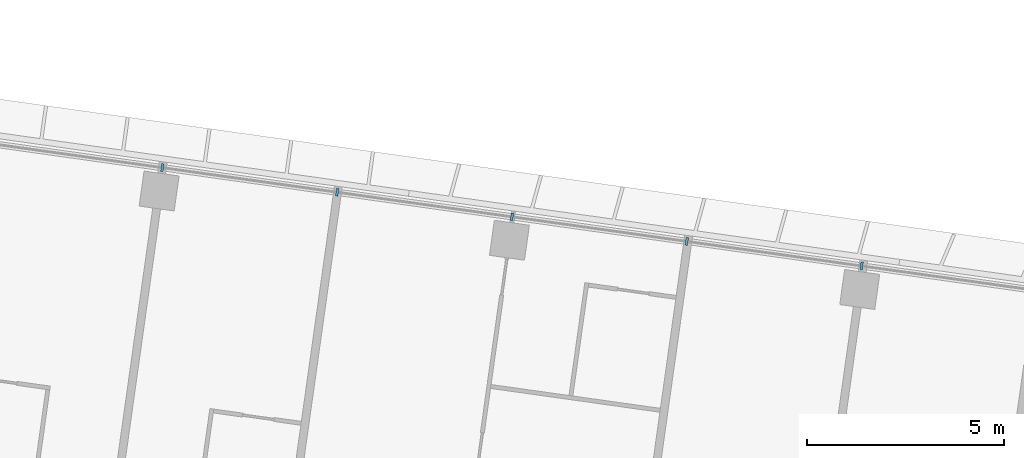
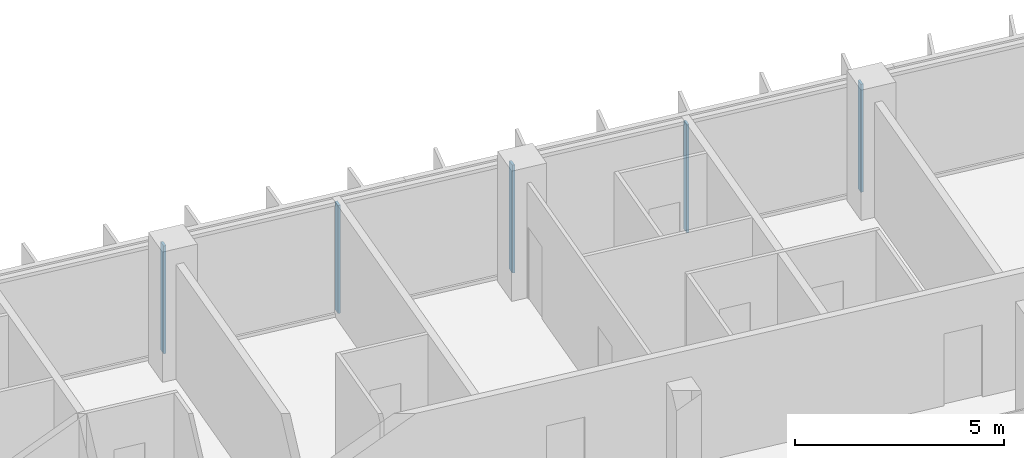
# One storey, part 5 of 26: 5 members, 1 element without a shape of its own.
"""IFC4 building model written with IfcOpenShell, lengths in metres."""

from ifc_helpers import new_model, si_unit, direction, frame, origin, origin_2d, place, context, subcontext, project, spatial, rectangle, extrude, material, material_profile, profile_set, type_object, element, aggregate, save


model = new_model("IFC4")

# Units and contexts
model_context = context("Model", 3, precision=1e-05, world=origin(), true_north=direction((0.0, 1.0)))
body_context = subcontext(model_context, "Body", "Model", "MODEL_VIEW")
ifc_project = project(units=[si_unit("LENGTHUNIT", "METRE"), si_unit("AREAUNIT", "SQUARE_METRE"), si_unit("VOLUMEUNIT", "CUBIC_METRE"), si_unit("PLANEANGLEUNIT", "RADIAN"), si_unit("MASSUNIT", "GRAM", prefix="KILO")], contexts=[model_context])

# Site, building, storey
site_placement = place(None, origin())
site = spatial("IfcSite", under=ifc_project, at=site_placement, CompositionType="ELEMENT")
building_placement = place(site_placement, origin())
building = spatial("IfcBuilding", under=site, at=building_placement, Name="Mirante Cascada Hotel Towers", CompositionType="ELEMENT")
storey_placement = place(building_placement, frame((0.0, 0.0, 144.3)))
storey = spatial("IfcBuildingStorey", under=building, at=storey_placement, Name="L33", CompositionType="ELEMENT", Elevation=144.3)

# Curtain wall, members
ifc_material_1 = material(Name="Aluminium mullion and transom frame with clear laminated glass", Category="aluminium")
curtain_wall_type = type_object("IfcCurtainWallType", Name="Ribbon curtain wall ECW1", PredefinedType="NOTDEFINED", material=ifc_material_1)
curtain_wall_placement = place(storey_placement, origin())
curtain_wall = element("IfcCurtainWall", 1, at=curtain_wall_placement, inside=storey, type_object=curtain_wall_type, Name="Front ribbon wall T1 L33", PredefinedType="NOTDEFINED")
ifc_material_2 = material(Name="Anodised aluminium extrusion", Category="aluminium")
ifc_material_profile = material_profile(ifc_material_2, rectangle(XDim=0.2, YDim=0.065, at=origin_2d()), Name="ECW1 MULLION 65x200")
ifc_profile_set = profile_set([ifc_material_profile], Name="Anodised aluminium extrusion")
member_type = type_object("IfcMemberType", Name="ECW1 mullion 65x200", PredefinedType="MULLION", material=ifc_profile_set)
member_1_placement = place(storey_placement, frame((-63.0262, 21.6768, 0.1), z_axis=(0.0, 0.0, 1.0), x_axis=(0.1391731, 0.9902681, 0.0)))
member_1 = element("IfcMember", 2, at=member_1_placement, type_object=member_type, Name="ECW1 mullion 8", PredefinedType="MULLION", context=body_context, shape_type="SweptSolid", body=[
    extrude(rectangle(XDim=0.2, YDim=0.065, at=origin_2d()), origin(), (0.0, 0.0, 1.0), 3.15),
])
member_2_placement = place(storey_placement, frame((-58.5788, 21.0517, 0.1), z_axis=(0.0, 0.0, 1.0), x_axis=(0.1391731, 0.9902681, 0.0)))
member_2 = element("IfcMember", 3, at=member_2_placement, type_object=member_type, Name="ECW1 mullion 9", PredefinedType="MULLION", context=body_context, shape_type="SweptSolid", body=[
    extrude(rectangle(XDim=0.2, YDim=0.065, at=origin_2d()), origin(), (0.0, 0.0, 1.0), 3.15),
])
member_3_placement = place(storey_placement, frame((-54.1314, 20.4267, 0.1), z_axis=(0.0, 0.0, 1.0), x_axis=(0.1391731, 0.9902681, 0.0)))
member_3 = element("IfcMember", 4, at=member_3_placement, type_object=member_type, Name="ECW1 mullion 10", PredefinedType="MULLION", context=body_context, shape_type="SweptSolid", body=[
    extrude(rectangle(XDim=0.2, YDim=0.065, at=origin_2d()), origin(), (0.0, 0.0, 1.0), 3.15),
])
member_4_placement = place(storey_placement, frame((-49.684, 19.8017, 0.1), z_axis=(0.0, 0.0, 1.0), x_axis=(0.1391731, 0.9902681, 0.0)))
member_4 = element("IfcMember", 5, at=member_4_placement, type_object=member_type, Name="ECW1 mullion 11", PredefinedType="MULLION", context=body_context, shape_type="SweptSolid", body=[
    extrude(rectangle(XDim=0.2, YDim=0.065, at=origin_2d()), origin(), (0.0, 0.0, 1.0), 3.15),
])
member_5_placement = place(storey_placement, frame((-45.2366, 19.1766, 0.1), z_axis=(0.0, 0.0, 1.0), x_axis=(0.1391731, 0.9902681, 0.0)))
member_5 = element("IfcMember", 6, at=member_5_placement, type_object=member_type, Name="ECW1 mullion 12", PredefinedType="MULLION", context=body_context, shape_type="SweptSolid", body=[
    extrude(rectangle(XDim=0.2, YDim=0.065, at=origin_2d()), origin(), (0.0, 0.0, 1.0), 3.15),
])
aggregate(curtain_wall, [member_1, member_2, member_3, member_4, member_5])

save(model, "model.ifc")
